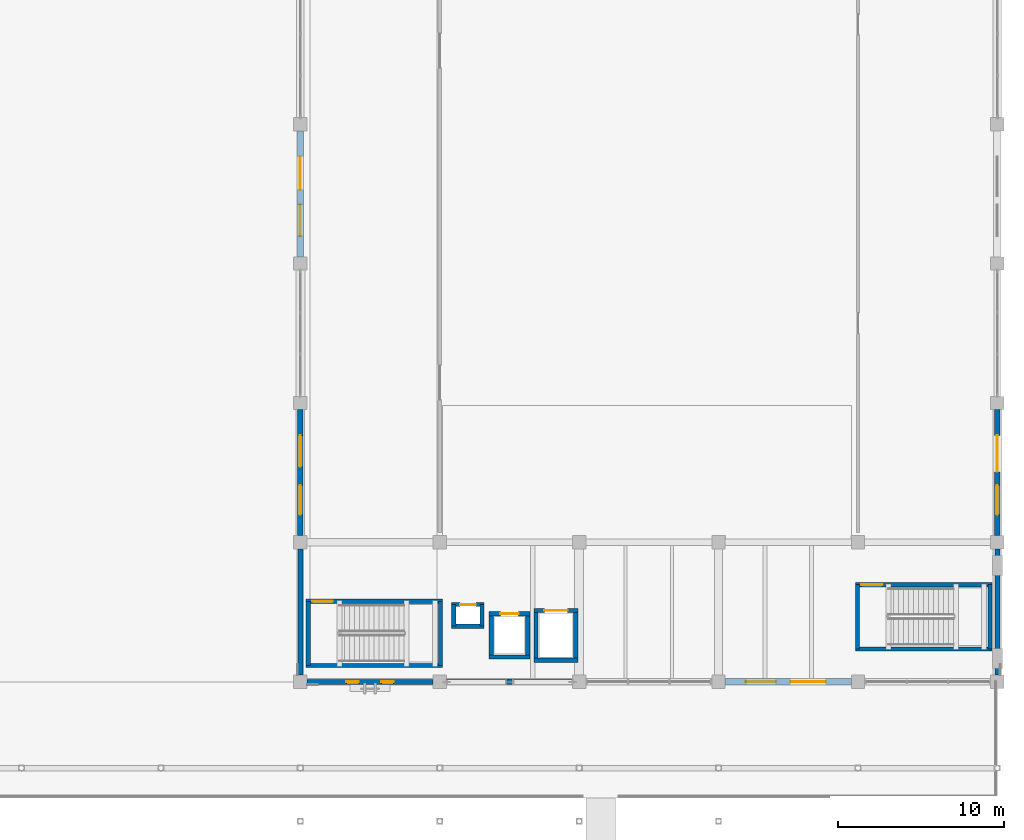
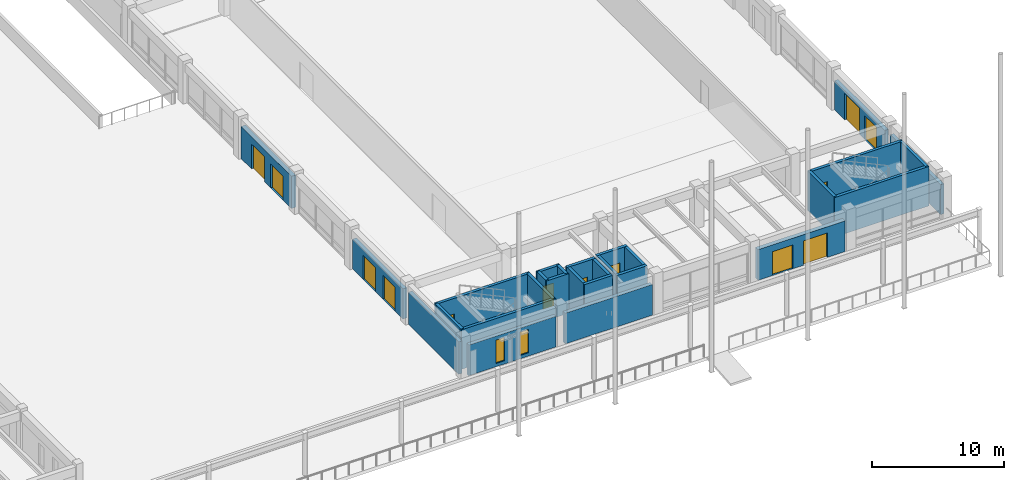
# One storey, part 96 of 135: 28 walls, 13 doors, 2 windows, 15 openings.
"""IFC4 building model written with IfcOpenShell, lengths in metres."""

from ifc_helpers import new_model, si_unit, direction, frame, frame_2d, origin, place, context, subcontext, project, spatial, rectangle, extrude, material, layer, layer_set, type_object, element, fill, save


model = new_model("IFC4")

# Units and contexts
model_context = context("Model", 3, precision=1e-05, world=origin(), true_north=direction((0.0, 1.0)))
body_context = subcontext(model_context, "Body", "Model", "MODEL_VIEW")
ifc_project = project(units=[si_unit("LENGTHUNIT", "METRE"), si_unit("AREAUNIT", "SQUARE_METRE"), si_unit("VOLUMEUNIT", "CUBIC_METRE"), si_unit("PLANEANGLEUNIT", "RADIAN"), si_unit("MASSUNIT", "GRAM", prefix="KILO")], contexts=[model_context])

# Site, building, storey
site_placement = place(None, origin())
site = spatial("IfcSite", under=ifc_project, at=site_placement, CompositionType="ELEMENT")
building_placement = place(site_placement, origin())
building = spatial("IfcBuilding", under=site, at=building_placement, Name="Cumbredor Promenade Congress Hotel", CompositionType="ELEMENT")
storey_placement = place(building_placement, origin())
storey = spatial("IfcBuildingStorey", under=building, at=storey_placement, Name="L00", CompositionType="ELEMENT", Elevation=0.0)

# Wall, openings, windows
ifc_material_1 = material(Name="Concrete C40/50", Category="concrete")
ifc_layer_1 = layer(ifc_material_1, 0.300048828125, Name="Concrete C40/50", Category="concrete")
ifc_layer_set_1 = layer_set([ifc_layer_1], Name="Concrete C40/50")
wall_type_1 = type_object("IfcWallType", Name="WL-EXT-300", PredefinedType="SOLIDWALL", material=ifc_layer_set_1)
wall_1_placement = place(storey_placement, frame((143.200927734375, 8.39990234375, 0.0), z_axis=(0.0, 0.0, 1.0), x_axis=(1.0, 0.0, 0.0)))
wall_1 = element("IfcWall", 1, at=wall_1_placement, inside=storey, type_object=wall_type_1, Name="L00 Grand Ballroom Pavilion South Envelope Wall 1", PredefinedType="SOLIDWALL", context=body_context, shape_type="SweptSolid", body=[
    extrude(rectangle(XDim=7.59814453125, YDim=0.300048828125, at=frame_2d((3.799072265625, 0.0))), origin(), (0.0, 0.0, 1.0), 2.824951171875),
])
opening_1_placement = place(wall_1_placement, frame((2.3740234375, 0.0, 0.300048828125)))
opening_1 = element("IfcOpeningElement", 2, at=opening_1_placement, cuts=wall_1, Name="Opening WN-57", PredefinedType="OPENING", context=body_context, shape_type="SweptSolid", body=[
    extrude(rectangle(XDim=0.75, YDim=2.14990234375, at=frame_2d((0.375, 1.074951171875))), frame((0.0, 0.16015625, 0.0), z_axis=(0.0, -1.0, 0.0), x_axis=(1.0, 0.0, 0.0)), (0.0, 0.0, 1.0), 0.320068359375),
])
opening_2_placement = place(wall_1_placement, frame((4.47412109375, 0.0, 0.300048828125)))
opening_2 = element("IfcOpeningElement", 3, at=opening_2_placement, cuts=wall_1, Name="Opening WN-57", PredefinedType="OPENING", context=body_context, shape_type="SweptSolid", body=[
    extrude(rectangle(XDim=0.75, YDim=2.14990234375, at=frame_2d((0.375, 1.074951171875))), frame((0.0, 0.16015625, 0.0), z_axis=(0.0, -1.0, 0.0), x_axis=(1.0, 0.0, 0.0)), (0.0, 0.0, 1.0), 0.320068359375),
])
ifc_material_2 = material(Name="Thermally broken anodized aluminium and low-E glass", Category="aluminium")
window_type = type_object("IfcWindowType", Name="Vertical Slot Window WN-57 750x2150", PartitioningType="SINGLE_PANEL", PredefinedType="WINDOW", material=ifc_material_2)
window_1_placement = place(opening_1_placement, origin())
window_1 = element("IfcWindow", 4, at=window_1_placement, inside=storey, type_object=window_type, Name="L00 Vertical Slot Window 0013", OverallHeight=2.14990234375, OverallWidth=0.75, PartitioningType="SINGLE_PANEL", PredefinedType="WINDOW", context=body_context, shape_type="SweptSolid", body=[
    extrude(rectangle(XDim=0.75, YDim=2.14990234375, at=frame_2d((0.375, 1.074951171875))), frame((0.0, 0.030029296875, 0.0), z_axis=(0.0, -1.0, 0.0), x_axis=(1.0, 0.0, 0.0)), (0.0, 0.0, 1.0), 0.06005859375),
])
fill(opening_1, window_1)
window_2_placement = place(opening_2_placement, origin())
window_2 = element("IfcWindow", 5, at=window_2_placement, inside=storey, type_object=window_type, Name="L00 Vertical Slot Window 0014", OverallHeight=2.14990234375, OverallWidth=0.75, PartitioningType="SINGLE_PANEL", PredefinedType="WINDOW", context=body_context, shape_type="SweptSolid", body=[
    extrude(rectangle(XDim=0.75, YDim=2.14990234375, at=frame_2d((0.375, 1.074951171875))), frame((0.0, 0.030029296875, 0.0), z_axis=(0.0, -1.0, 0.0), x_axis=(1.0, 0.0, 0.0)), (0.0, 0.0, 1.0), 0.06005859375),
])
fill(opening_2, window_2)

# Walls
wall_2_placement = place(storey_placement, frame((142.800048828125, 8.801025390625, 0.0), z_axis=(0.0, 0.0, 1.0), x_axis=(0.0, 1.0, 0.0)))
element("IfcWall", 6, at=wall_2_placement, inside=storey, type_object=wall_type_1, Name="L00 Grand Ballroom Pavilion West Envelope Wall 1", PredefinedType="SOLIDWALL", context=body_context, shape_type="SweptSolid", body=[
    extrude(rectangle(XDim=7.597900390625, YDim=0.300048828125, at=frame_2d((3.798828125, 0.0))), origin(), (0.0, 0.0, 1.0), 2.97509765625),
])
wall_3_placement = place(storey_placement, frame((184.800048828125, 8.801025390625, 0.0), z_axis=(0.0, 0.0, 1.0), x_axis=(0.0, 1.0, 0.0)))
element("IfcWall", 7, at=wall_3_placement, inside=storey, type_object=wall_type_1, Name="L00 Grand Ballroom Pavilion East Envelope Wall 1", PredefinedType="SOLIDWALL", context=body_context, shape_type="SweptSolid", body=[
    extrude(rectangle(XDim=7.597900390625, YDim=0.300048828125, at=frame_2d((3.798828125, 0.0))), origin(), (0.0, 0.0, 1.0), 2.77490234375),
])
ifc_layer_2 = layer(ifc_material_1, 0.324951171875, Name="Concrete C40/50", Category="concrete")
ifc_layer_set_2 = layer_set([ifc_layer_2], Name="Concrete C40/50")
wall_type_2 = type_object("IfcWallType", Name="WL-EXT-325", PredefinedType="SOLIDWALL", material=ifc_layer_set_2)
wall_4_placement = place(storey_placement, frame((151.60107421875, 8.39990234375, 0.0), z_axis=(0.0, 0.0, 1.0), x_axis=(1.0, 0.0, 0.0)))
element("IfcWall", 8, at=wall_4_placement, inside=storey, type_object=wall_type_2, Name="L00 Grand Ballroom Pavilion South Envelope Wall 2", PredefinedType="SOLIDWALL", context=body_context, shape_type="SweptSolid", body=[
    extrude(rectangle(XDim=7.597900390625, YDim=0.324951171875, at=frame_2d((3.798828125, 0.0))), origin(), (0.0, 0.0, 1.0), 2.824951171875),
])

# Wall, openings, doors
wall_5_placement = place(storey_placement, frame((142.800048828125, 17.200927734375, 0.0), z_axis=(0.0, 0.0, 1.0), x_axis=(0.0, 1.0, 0.0)))
wall_5 = element("IfcWall", 9, at=wall_5_placement, inside=storey, type_object=wall_type_2, Name="L00 Grand Ballroom Pavilion West Envelope Wall 2", PredefinedType="SOLIDWALL", context=body_context, shape_type="SweptSolid", body=[
    extrude(rectangle(XDim=7.59814453125, YDim=0.324951171875, at=frame_2d((3.799072265625, 0.0))), origin(), (0.0, 0.0, 1.0), 2.77490234375),
])
opening_3_placement = place(wall_5_placement, frame((1.2490234375, 0.0, 0.0)))
opening_3 = element("IfcOpeningElement", 10, at=opening_3_placement, cuts=wall_5, Name="Opening EX-01", PredefinedType="OPENING", context=body_context, shape_type="SweptSolid", body=[
    extrude(rectangle(XDim=1.800048828125, YDim=2.199951171875, at=frame_2d((0.89990234375, 1.10009765625))), frame((0.0, 0.17236328125, 0.0), z_axis=(0.0, -1.0, 0.0), x_axis=(1.0, 0.0, 0.0)), (0.0, 0.0, 1.0), 0.344970703125),
])
opening_4_placement = place(wall_5_placement, frame((4.14794921875, 0.0, 0.0)))
opening_4 = element("IfcOpeningElement", 11, at=opening_4_placement, cuts=wall_5, Name="Opening EX-02", PredefinedType="OPENING", context=body_context, shape_type="SweptSolid", body=[
    extrude(rectangle(XDim=1.89990234375, YDim=2.199951171875, at=frame_2d((0.949951171875, 1.10009765625))), frame((0.0, 0.17236328125, 0.0), z_axis=(0.0, -1.0, 0.0), x_axis=(1.0, 0.0, 0.0)), (0.0, 0.0, 1.0), 0.344970703125),
])
ifc_material_3 = material(Name="Thermally broken anodized aluminium and laminated safety glass", Category="aluminium")
door_type_1 = type_object("IfcDoorType", Name="EXT-DR-EXIT-1800x2200", OperationType="DOUBLE_DOOR_SINGLE_SWING", PredefinedType="DOOR", material=ifc_material_3)
door_1_placement = place(opening_3_placement, origin())
door_1 = element("IfcDoor", 12, at=door_1_placement, inside=storey, type_object=door_type_1, Name="L00 Grand Ballroom Pavilion West Final Exit Door 10.1", OperationType="DOUBLE_DOOR_SINGLE_SWING", OverallHeight=2.199951171875, OverallWidth=1.800048828125, PredefinedType="DOOR", context=body_context, shape_type="SweptSolid", body=[
    extrude(rectangle(XDim=1.800048828125, YDim=2.199951171875, at=frame_2d((0.89990234375, 1.10009765625))), frame((0.0, 0.02490234375, 0.0), z_axis=(0.0, -1.0, 0.0), x_axis=(1.0, 0.0, 0.0)), (0.0, 0.0, 1.0), 0.050048828125),
])
fill(opening_3, door_1)
door_type_2 = type_object("IfcDoorType", Name="EXT-DR-EXIT-1900x2200", OperationType="DOUBLE_DOOR_SINGLE_SWING", PredefinedType="DOOR", material=ifc_material_3)
door_2_placement = place(opening_4_placement, origin())
door_2 = element("IfcDoor", 13, at=door_2_placement, inside=storey, type_object=door_type_2, Name="L00 Grand Ballroom Pavilion West Final Exit Door 10.2", OperationType="DOUBLE_DOOR_SINGLE_SWING", OverallHeight=2.199951171875, OverallWidth=1.89990234375, PredefinedType="DOOR", context=body_context, shape_type="SweptSolid", body=[
    extrude(rectangle(XDim=1.89990234375, YDim=2.199951171875, at=frame_2d((0.949951171875, 1.10009765625))), frame((0.0, 0.02490234375, 0.0), z_axis=(0.0, -1.0, 0.0), x_axis=(1.0, 0.0, 0.0)), (0.0, 0.0, 1.0), 0.050048828125),
])
fill(opening_4, door_2)

wall_6_placement = place(storey_placement, frame((184.800048828125, 17.200927734375, 0.0), z_axis=(0.0, 0.0, 1.0), x_axis=(0.0, 1.0, 0.0)))
wall_6 = element("IfcWall", 14, at=wall_6_placement, inside=storey, type_object=wall_type_2, Name="L00 Grand Ballroom Pavilion East Envelope Wall 2", PredefinedType="SOLIDWALL", context=body_context, shape_type="SweptSolid", body=[
    extrude(rectangle(XDim=7.59814453125, YDim=0.324951171875, at=frame_2d((3.799072265625, 0.0))), origin(), (0.0, 0.0, 1.0), 2.675048828125),
])
opening_5_placement = place(wall_6_placement, frame((1.2490234375, 0.0, 0.0)))
opening_5 = element("IfcOpeningElement", 15, at=opening_5_placement, cuts=wall_6, Name="Opening EX-01", PredefinedType="OPENING", context=body_context, shape_type="SweptSolid", body=[
    extrude(rectangle(XDim=1.800048828125, YDim=2.199951171875, at=frame_2d((0.89990234375, 1.10009765625))), frame((0.0, 0.17236328125, 0.0), z_axis=(0.0, -1.0, 0.0), x_axis=(1.0, 0.0, 0.0)), (0.0, 0.0, 1.0), 0.344970703125),
])
opening_6_placement = place(wall_6_placement, frame((3.847900390625, 0.0, 0.0)))
opening_6 = element("IfcOpeningElement", 16, at=opening_6_placement, cuts=wall_6, Name="Opening EX-04", PredefinedType="OPENING", context=body_context, shape_type="SweptSolid", body=[
    extrude(rectangle(XDim=2.199951171875, YDim=2.39990234375, at=frame_2d((1.10009765625, 1.199951171875))), frame((0.0, 0.17236328125, 0.0), z_axis=(0.0, -1.0, 0.0), x_axis=(1.0, 0.0, 0.0)), (0.0, 0.0, 1.0), 0.344970703125),
])
door_3_placement = place(opening_5_placement, frame((1.800048828125, 0.0, 0.0), z_axis=(0.0, 0.0, 1.0), x_axis=(-1.0, 0.0, 0.0)))
door_3 = element("IfcDoor", 17, at=door_3_placement, inside=storey, type_object=door_type_1, Name="L00 Grand Ballroom Pavilion East Final Exit Door 12.1", OperationType="DOUBLE_DOOR_SINGLE_SWING", OverallHeight=2.199951171875, OverallWidth=1.800048828125, PredefinedType="DOOR", context=body_context, shape_type="SweptSolid", body=[
    extrude(rectangle(XDim=1.800048828125, YDim=2.199951171875, at=frame_2d((0.89990234375, 1.10009765625))), frame((0.0, 0.02490234375, 0.0), z_axis=(0.0, -1.0, 0.0), x_axis=(1.0, 0.0, 0.0)), (0.0, 0.0, 1.0), 0.050048828125),
])
fill(opening_5, door_3)
door_type_3 = type_object("IfcDoorType", Name="EXT-DR-EXIT-2200x2400", OperationType="DOUBLE_DOOR_SINGLE_SWING", PredefinedType="DOOR", material=ifc_material_3)
door_4_placement = place(opening_6_placement, frame((2.199951171875, 0.0, 0.0), z_axis=(0.0, 0.0, 1.0), x_axis=(-1.0, 0.0, 0.0)))
door_4 = element("IfcDoor", 18, at=door_4_placement, inside=storey, type_object=door_type_3, Name="L00 Grand Ballroom Pavilion East Final Exit Door 12.2", OperationType="DOUBLE_DOOR_SINGLE_SWING", OverallHeight=2.39990234375, OverallWidth=2.199951171875, PredefinedType="DOOR", context=body_context, shape_type="SweptSolid", body=[
    extrude(rectangle(XDim=2.199951171875, YDim=2.39990234375, at=frame_2d((1.10009765625, 1.199951171875))), frame((0.0, 0.02490234375, 0.0), z_axis=(0.0, -1.0, 0.0), x_axis=(1.0, 0.0, 0.0)), (0.0, 0.0, 1.0), 0.050048828125),
])
fill(opening_6, door_4)

ifc_layer_3 = layer(ifc_material_1, 0.3798828125, Name="Concrete C40/50", Category="concrete")
ifc_layer_set_3 = layer_set([ifc_layer_3], Name="Concrete C40/50")
wall_type_3 = type_object("IfcWallType", Name="WL-EXT-380", PredefinedType="SOLIDWALL", material=ifc_layer_set_3)
wall_7_placement = place(storey_placement, frame((168.40087890625, 8.39990234375, 0.0), z_axis=(0.0, 0.0, 1.0), x_axis=(1.0, 0.0, 0.0)))
wall_7 = element("IfcWall", 19, at=wall_7_placement, inside=storey, type_object=wall_type_3, Name="L00 Grand Ballroom Pavilion South Envelope Wall 4", PredefinedType="SOLIDWALL", context=body_context, shape_type="SweptSolid", body=[
    extrude(rectangle(XDim=7.59814453125, YDim=0.3798828125, at=frame_2d((3.799072265625, 0.0))), origin(), (0.0, 0.0, 1.0), 2.824951171875),
])
opening_7_placement = place(wall_7_placement, frame((1.2490234375, 0.0, 0.0)))
opening_7 = element("IfcOpeningElement", 20, at=opening_7_placement, cuts=wall_7, Name="Opening EX-01", PredefinedType="OPENING", context=body_context, shape_type="SweptSolid", body=[
    extrude(rectangle(XDim=1.800048828125, YDim=2.199951171875, at=frame_2d((0.89990234375, 1.10009765625))), frame((0.0, 0.199951171875, 0.0), z_axis=(0.0, -1.0, 0.0), x_axis=(1.0, 0.0, 0.0)), (0.0, 0.0, 1.0), 0.39990234375),
])
opening_8_placement = place(wall_7_placement, frame((3.947998046875, 0.0, 0.0)))
opening_8 = element("IfcOpeningElement", 21, at=opening_8_placement, cuts=wall_7, Name="Opening EX-11", PredefinedType="OPENING", context=body_context, shape_type="SweptSolid", body=[
    extrude(rectangle(XDim=2.10009765625, YDim=2.25, at=frame_2d((1.050048828125, 1.125))), frame((0.0, 0.199951171875, 0.0), z_axis=(0.0, -1.0, 0.0), x_axis=(1.0, 0.0, 0.0)), (0.0, 0.0, 1.0), 0.39990234375),
])
door_5_placement = place(opening_7_placement, frame((1.800048828125, 0.0, 0.0), z_axis=(0.0, 0.0, 1.0), x_axis=(-1.0, 0.0, 0.0)))
door_5 = element("IfcDoor", 22, at=door_5_placement, inside=storey, type_object=door_type_1, Name="L00 Grand Ballroom Pavilion South Final Exit Door 08.1", OperationType="DOUBLE_DOOR_SINGLE_SWING", OverallHeight=2.199951171875, OverallWidth=1.800048828125, PredefinedType="DOOR", context=body_context, shape_type="SweptSolid", body=[
    extrude(rectangle(XDim=1.800048828125, YDim=2.199951171875, at=frame_2d((0.89990234375, 1.10009765625))), frame((0.0, 0.02490234375, 0.0), z_axis=(0.0, -1.0, 0.0), x_axis=(1.0, 0.0, 0.0)), (0.0, 0.0, 1.0), 0.050048828125),
])
fill(opening_7, door_5)
door_type_4 = type_object("IfcDoorType", Name="EXT-DR-EXIT-2100x2250", OperationType="DOUBLE_DOOR_SINGLE_SWING", PredefinedType="DOOR", material=ifc_material_3)
door_6_placement = place(opening_8_placement, frame((2.10009765625, 0.0, 0.0), z_axis=(0.0, 0.0, 1.0), x_axis=(-1.0, 0.0, 0.0)))
door_6 = element("IfcDoor", 23, at=door_6_placement, inside=storey, type_object=door_type_4, Name="L00 Grand Ballroom Pavilion South Final Exit Door 08.2", OperationType="DOUBLE_DOOR_SINGLE_SWING", OverallHeight=2.25, OverallWidth=2.10009765625, PredefinedType="DOOR", context=body_context, shape_type="SweptSolid", body=[
    extrude(rectangle(XDim=2.10009765625, YDim=2.25, at=frame_2d((1.050048828125, 1.125))), frame((0.0, 0.02490234375, 0.0), z_axis=(0.0, -1.0, 0.0), x_axis=(1.0, 0.0, 0.0)), (0.0, 0.0, 1.0), 0.050048828125),
])
fill(opening_8, door_6)

wall_8_placement = place(storey_placement, frame((142.800048828125, 34.0009765625, 0.0), z_axis=(0.0, 0.0, 1.0), x_axis=(0.0, 1.0, 0.0)))
wall_8 = element("IfcWall", 24, at=wall_8_placement, inside=storey, type_object=wall_type_3, Name="L00 Grand Ballroom Pavilion West Envelope Wall 4", PredefinedType="SOLIDWALL", context=body_context, shape_type="SweptSolid", body=[
    extrude(rectangle(XDim=7.59814453125, YDim=0.3798828125, at=frame_2d((3.799072265625, 0.0))), origin(), (0.0, 0.0, 1.0), 2.97509765625),
])
opening_9_placement = place(wall_8_placement, frame((1.2490234375, 0.0, 0.0)))
opening_9 = element("IfcOpeningElement", 25, at=opening_9_placement, cuts=wall_8, Name="Opening EX-02", PredefinedType="OPENING", context=body_context, shape_type="SweptSolid", body=[
    extrude(rectangle(XDim=1.89990234375, YDim=2.199951171875, at=frame_2d((0.949951171875, 1.10009765625))), frame((0.0, 0.199951171875, 0.0), z_axis=(0.0, -1.0, 0.0), x_axis=(1.0, 0.0, 0.0)), (0.0, 0.0, 1.0), 0.39990234375),
])
opening_10_placement = place(wall_8_placement, frame((4.048095703125, 0.0, 0.0)))
opening_10 = element("IfcOpeningElement", 26, at=opening_10_placement, cuts=wall_8, Name="Opening EX-03", PredefinedType="OPENING", context=body_context, shape_type="SweptSolid", body=[
    extrude(rectangle(XDim=2.0, YDim=2.300048828125, at=frame_2d((1.0, 1.14990234375))), frame((0.0, 0.199951171875, 0.0), z_axis=(0.0, -1.0, 0.0), x_axis=(1.0, 0.0, 0.0)), (0.0, 0.0, 1.0), 0.39990234375),
])
door_7_placement = place(opening_9_placement, origin())
door_7 = element("IfcDoor", 27, at=door_7_placement, inside=storey, type_object=door_type_2, Name="L00 Grand Ballroom Pavilion West Final Exit Door 11.1", OperationType="DOUBLE_DOOR_SINGLE_SWING", OverallHeight=2.199951171875, OverallWidth=1.89990234375, PredefinedType="DOOR", context=body_context, shape_type="SweptSolid", body=[
    extrude(rectangle(XDim=1.89990234375, YDim=2.199951171875, at=frame_2d((0.949951171875, 1.10009765625))), frame((0.0, 0.02490234375, 0.0), z_axis=(0.0, -1.0, 0.0), x_axis=(1.0, 0.0, 0.0)), (0.0, 0.0, 1.0), 0.050048828125),
])
fill(opening_9, door_7)
door_type_5 = type_object("IfcDoorType", Name="EXT-DR-EXIT-2000x2300", OperationType="DOUBLE_DOOR_SINGLE_SWING", PredefinedType="DOOR", material=ifc_material_3)
door_8_placement = place(opening_10_placement, origin())
door_8 = element("IfcDoor", 28, at=door_8_placement, inside=storey, type_object=door_type_5, Name="L00 Grand Ballroom Pavilion West Final Exit Door 11.2", OperationType="DOUBLE_DOOR_SINGLE_SWING", OverallHeight=2.300048828125, OverallWidth=2.0, PredefinedType="DOOR", context=body_context, shape_type="SweptSolid", body=[
    extrude(rectangle(XDim=2.0, YDim=2.300048828125, at=frame_2d((1.0, 1.14990234375))), frame((0.0, 0.02490234375, 0.0), z_axis=(0.0, -1.0, 0.0), x_axis=(1.0, 0.0, 0.0)), (0.0, 0.0, 1.0), 0.050048828125),
])
fill(opening_10, door_8)

# Wall
ifc_layer_4 = layer(ifc_material_1, 0.2548828125, Name="Concrete C40/50", Category="concrete")
ifc_layer_set_4 = layer_set([ifc_layer_4], Name="Concrete C40/50")
wall_type_4 = type_object("IfcWallType", Name="WL-SHAFT-250", PredefinedType="SOLIDWALL", material=ifc_layer_set_4)
wall_9_placement = place(storey_placement, frame((143.152587890625, 9.3798828125, 0.0), z_axis=(0.0, 0.0, 1.0), x_axis=(1.0, 0.0, 0.0)))
element("IfcWall", 29, at=wall_9_placement, inside=storey, type_object=wall_type_4, Name="STAIR-ST-08-L00 Shaft Wall South", PredefinedType="SOLIDWALL", context=body_context, shape_type="SweptSolid", body=[
    extrude(rectangle(XDim=8.224853515625, YDim=0.2548828125, at=frame_2d((4.1123046875, 0.0))), origin(), (0.0, 0.0, 1.0), 3.639892578125),
])

# Wall, opening, door
wall_10_placement = place(storey_placement, frame((143.152587890625, 13.25, 0.0), z_axis=(0.0, 0.0, 1.0), x_axis=(1.0, 0.0, 0.0)))
wall_10 = element("IfcWall", 30, at=wall_10_placement, inside=storey, type_object=wall_type_4, Name="STAIR-ST-08-L00 Shaft Wall North", PredefinedType="SOLIDWALL", context=body_context, shape_type="SweptSolid", body=[
    extrude(rectangle(XDim=8.224853515625, YDim=0.2548828125, at=frame_2d((4.1123046875, 0.0))), origin(), (0.0, 0.0, 1.0), 3.639892578125),
])
opening_11_placement = place(wall_10_placement, frame((0.35009765625, 0.0, 0.0)))
opening_11 = element("IfcOpeningElement", 31, at=opening_11_placement, cuts=wall_10, Name="Opening SD-02", PredefinedType="OPENING", context=body_context, shape_type="SweptSolid", body=[
    extrude(rectangle(XDim=1.25, YDim=2.199951171875, at=frame_2d((0.625, 1.10009765625))), frame((0.0, 0.137451171875, 0.0), z_axis=(0.0, -1.0, 0.0), x_axis=(1.0, 0.0, 0.0)), (0.0, 0.0, 1.0), 0.27490234375),
])
ifc_material_4 = material(Name="Painted galvanized steel fire door", Category="steel")
door_type_6 = type_object("IfcDoorType", Name="DR-STAIR-FD90-1250", OperationType="NOTDEFINED", PredefinedType="DOOR", material=ifc_material_4)
door_9_placement = place(opening_11_placement, origin())
door_9 = element("IfcDoor", 32, at=door_9_placement, inside=storey, type_object=door_type_6, Name="L00 Protected Exit Stair ST-08 Door", OperationType="SINGLE_SWING_LEFT", OverallHeight=2.199951171875, OverallWidth=1.25, PredefinedType="DOOR", context=body_context, shape_type="SweptSolid", body=[
    extrude(rectangle(XDim=1.25, YDim=2.199951171875, at=frame_2d((0.625, 1.10009765625))), frame((0.0, 0.02490234375, 0.0), z_axis=(0.0, -1.0, 0.0), x_axis=(1.0, 0.0, 0.0)), (0.0, 0.0, 1.0), 0.050048828125),
])
fill(opening_11, door_9)

# Walls
for number, where, z_axis, x_axis, name in (
    (33, (143.280029296875, 9.3798828125, 0.0), (0.0, 0.0, 1.0), (0.0, 1.0, 0.0), "STAIR-ST-08-L00 Shaft Wall West"),
    (34, (151.25, 9.3798828125, 0.0), (0.0, 0.0, 1.0), (0.0, 1.0, 0.0), "STAIR-ST-08-L00 Shaft Wall East"),
):
    element("IfcWall", number, at=place(storey_placement, frame(where, z_axis=z_axis, x_axis=x_axis)), inside=storey, type_object=wall_type_4, Name=name, PredefinedType="SOLIDWALL", context=body_context, shape_type="SweptSolid", body=[
        extrude(rectangle(XDim=3.8701171875, YDim=0.2548828125, at=frame_2d((1.93505859375, 0.0))), origin(), (0.0, 0.0, 1.0), 3.639892578125),
    ])
wall_11_placement = place(storey_placement, frame((176.25244140625, 10.3798828125, 0.0), z_axis=(0.0, 0.0, 1.0), x_axis=(1.0, 0.0, 0.0)))
element("IfcWall", 35, at=wall_11_placement, inside=storey, type_object=wall_type_4, Name="STAIR-ST-09-L00 Shaft Wall South", PredefinedType="SOLIDWALL", context=body_context, shape_type="SweptSolid", body=[
    extrude(rectangle(XDim=8.22509765625, YDim=0.2548828125, at=frame_2d((4.112548828125, 0.0))), origin(), (0.0, 0.0, 1.0), 3.639892578125),
])

# Wall, opening, door
wall_12_placement = place(storey_placement, frame((176.25244140625, 14.25, 0.0), z_axis=(0.0, 0.0, 1.0), x_axis=(1.0, 0.0, 0.0)))
wall_12 = element("IfcWall", 36, at=wall_12_placement, inside=storey, type_object=wall_type_4, Name="STAIR-ST-09-L00 Shaft Wall North", PredefinedType="SOLIDWALL", context=body_context, shape_type="SweptSolid", body=[
    extrude(rectangle(XDim=8.22509765625, YDim=0.2548828125, at=frame_2d((4.112548828125, 0.0))), origin(), (0.0, 0.0, 1.0), 3.639892578125),
])
opening_12_placement = place(wall_12_placement, frame((0.35009765625, 0.0, 0.0)))
opening_12 = element("IfcOpeningElement", 37, at=opening_12_placement, cuts=wall_12, Name="Opening SD-02", PredefinedType="OPENING", context=body_context, shape_type="SweptSolid", body=[
    extrude(rectangle(XDim=1.25, YDim=2.199951171875, at=frame_2d((0.625, 1.10009765625))), frame((0.0, 0.137451171875, 0.0), z_axis=(0.0, -1.0, 0.0), x_axis=(1.0, 0.0, 0.0)), (0.0, 0.0, 1.0), 0.27490234375),
])
door_10_placement = place(opening_12_placement, origin())
door_10 = element("IfcDoor", 38, at=door_10_placement, inside=storey, type_object=door_type_6, Name="L00 Protected Exit Stair ST-09 Door", OperationType="SINGLE_SWING_RIGHT", OverallHeight=2.199951171875, OverallWidth=1.25, PredefinedType="DOOR", context=body_context, shape_type="SweptSolid", body=[
    extrude(rectangle(XDim=1.25, YDim=2.199951171875, at=frame_2d((0.625, 1.10009765625))), frame((0.0, 0.02490234375, 0.0), z_axis=(0.0, -1.0, 0.0), x_axis=(1.0, 0.0, 0.0)), (0.0, 0.0, 1.0), 0.050048828125),
])
fill(opening_12, door_10)

# Walls
for number, where, z_axis, x_axis, name in (
    (39, (176.3798828125, 10.3798828125, 0.0), (0.0, 0.0, 1.0), (0.0, 1.0, 0.0), "STAIR-ST-09-L00 Shaft Wall West"),
    (40, (184.35009765625, 10.3798828125, 0.0), (0.0, 0.0, 1.0), (0.0, 1.0, 0.0), "STAIR-ST-09-L00 Shaft Wall East"),
):
    element("IfcWall", number, at=place(storey_placement, frame(where, z_axis=z_axis, x_axis=x_axis)), inside=storey, type_object=wall_type_4, Name=name, PredefinedType="SOLIDWALL", context=body_context, shape_type="SweptSolid", body=[
        extrude(rectangle(XDim=3.8701171875, YDim=0.2548828125, at=frame_2d((1.93505859375, 0.0))), origin(), (0.0, 0.0, 1.0), 3.639892578125),
    ])
wall_13_placement = place(storey_placement, frame((154.172607421875, 9.89990234375, 0.0), z_axis=(0.0, 0.0, 1.0), x_axis=(1.0, 0.0, 0.0)))
element("IfcWall", 41, at=wall_13_placement, inside=storey, type_object=wall_type_4, Name="SHAFT-PL-07-L00 Shaft Wall South", PredefinedType="SOLIDWALL", context=body_context, shape_type="SweptSolid", body=[
    extrude(rectangle(XDim=2.454833984375, YDim=0.2548828125, at=frame_2d((1.2275390625, 0.0))), origin(), (0.0, 0.0, 1.0), 3.639892578125),
])

# Wall, opening, door
wall_14_placement = place(storey_placement, frame((154.172607421875, 12.5, 0.0), z_axis=(0.0, 0.0, 1.0), x_axis=(1.0, 0.0, 0.0)))
wall_14 = element("IfcWall", 42, at=wall_14_placement, inside=storey, type_object=wall_type_4, Name="SHAFT-PL-07-L00 Shaft Wall North", PredefinedType="SOLIDWALL", context=body_context, shape_type="SweptSolid", body=[
    extrude(rectangle(XDim=2.454833984375, YDim=0.2548828125, at=frame_2d((1.2275390625, 0.0))), origin(), (0.0, 0.0, 1.0), 3.639892578125),
])
opening_13_placement = place(wall_14_placement, frame((0.677490234375, 0.0, 0.0)))
opening_13 = element("IfcOpeningElement", 43, at=opening_13_placement, cuts=wall_14, Name="Opening LD-01", PredefinedType="OPENING", context=body_context, shape_type="SweptSolid", body=[
    extrude(rectangle(XDim=1.10009765625, YDim=2.14990234375, at=frame_2d((0.550048828125, 1.074951171875))), frame((0.0, 0.137451171875, 0.0), z_axis=(0.0, -1.0, 0.0), x_axis=(1.0, 0.0, 0.0)), (0.0, 0.0, 1.0), 0.27490234375),
])
ifc_material_5 = material(Name="Brushed stainless steel", Category="steel")
door_type_7 = type_object("IfcDoorType", Name="Lift Landing Sliding Door LD-01 1100x2150", OperationType="DOUBLE_DOOR_SLIDING", PredefinedType="DOOR", material=ifc_material_5)
door_11_placement = place(opening_13_placement, origin())
door_11 = element("IfcDoor", 44, at=door_11_placement, inside=storey, type_object=door_type_7, Name="L00 Ballroom Passenger Lift PL-07 Sliding Landing Door", OperationType="DOUBLE_DOOR_SLIDING", OverallHeight=2.14990234375, OverallWidth=1.10009765625, PredefinedType="DOOR", context=body_context, shape_type="SweptSolid", body=[
    extrude(rectangle(XDim=1.10009765625, YDim=2.14990234375, at=frame_2d((0.550048828125, 1.074951171875))), frame((0.0, 0.02490234375, 0.0), z_axis=(0.0, -1.0, 0.0), x_axis=(1.0, 0.0, 0.0)), (0.0, 0.0, 1.0), 0.050048828125),
])
fill(opening_13, door_11)

# Walls
for number, where, z_axis, x_axis, name in (
    (45, (154.300048828125, 9.89990234375, 0.0), (0.0, 0.0, 1.0), (0.0, 1.0, 0.0), "SHAFT-PL-07-L00 Shaft Wall West"),
    (46, (156.5, 9.89990234375, 0.0), (0.0, 0.0, 1.0), (0.0, 1.0, 0.0), "SHAFT-PL-07-L00 Shaft Wall East"),
):
    element("IfcWall", number, at=place(storey_placement, frame(where, z_axis=z_axis, x_axis=x_axis)), inside=storey, type_object=wall_type_4, Name=name, PredefinedType="SOLIDWALL", context=body_context, shape_type="SweptSolid", body=[
        extrude(rectangle(XDim=2.60009765625, YDim=0.2548828125, at=frame_2d((1.300048828125, 0.0))), origin(), (0.0, 0.0, 1.0), 3.639892578125),
    ])
wall_15_placement = place(storey_placement, frame((156.87255859375, 9.699951171875, 0.0), z_axis=(0.0, 0.0, 1.0), x_axis=(1.0, 0.0, 0.0)))
element("IfcWall", 47, at=wall_15_placement, inside=storey, type_object=wall_type_4, Name="SHAFT-SV-02-L00 Shaft Wall South", PredefinedType="SOLIDWALL", context=body_context, shape_type="SweptSolid", body=[
    extrude(rectangle(XDim=2.655029296875, YDim=0.2548828125, at=frame_2d((1.32763671875, 0.0))), origin(), (0.0, 0.0, 1.0), 3.639892578125),
])

# Wall, opening, door
wall_16_placement = place(storey_placement, frame((156.87255859375, 12.699951171875, 0.0), z_axis=(0.0, 0.0, 1.0), x_axis=(1.0, 0.0, 0.0)))
wall_16 = element("IfcWall", 48, at=wall_16_placement, inside=storey, type_object=wall_type_4, Name="SHAFT-SV-02-L00 Shaft Wall North", PredefinedType="SOLIDWALL", context=body_context, shape_type="SweptSolid", body=[
    extrude(rectangle(XDim=2.655029296875, YDim=0.2548828125, at=frame_2d((1.32763671875, 0.0))), origin(), (0.0, 0.0, 1.0), 3.639892578125),
])
opening_14_placement = place(wall_16_placement, frame((0.62744140625, 0.0, 0.0)))
opening_14 = element("IfcOpeningElement", 49, at=opening_14_placement, cuts=wall_16, Name="Opening LD-03", PredefinedType="OPENING", context=body_context, shape_type="SweptSolid", body=[
    extrude(rectangle(XDim=1.39990234375, YDim=2.300048828125, at=frame_2d((0.699951171875, 1.14990234375))), frame((0.0, 0.137451171875, 0.0), z_axis=(0.0, -1.0, 0.0), x_axis=(1.0, 0.0, 0.0)), (0.0, 0.0, 1.0), 0.27490234375),
])
door_type_8 = type_object("IfcDoorType", Name="Service Lift Sliding Door LD-03 1400x2300", OperationType="DOUBLE_DOOR_SLIDING", PredefinedType="DOOR", material=ifc_material_5)
door_12_placement = place(opening_14_placement, origin())
door_12 = element("IfcDoor", 50, at=door_12_placement, inside=storey, type_object=door_type_8, Name="L00 Ballroom Service Lift SV-02 Sliding Landing Door", OperationType="DOUBLE_DOOR_SLIDING", OverallHeight=2.300048828125, OverallWidth=1.39990234375, PredefinedType="DOOR", context=body_context, shape_type="SweptSolid", body=[
    extrude(rectangle(XDim=1.39990234375, YDim=2.300048828125, at=frame_2d((0.699951171875, 1.14990234375))), frame((0.0, 0.02490234375, 0.0), z_axis=(0.0, -1.0, 0.0), x_axis=(1.0, 0.0, 0.0)), (0.0, 0.0, 1.0), 0.050048828125),
])
fill(opening_14, door_12)

# Walls
for number, where, z_axis, x_axis, name in (
    (51, (157.0, 9.699951171875, 0.0), (0.0, 0.0, 1.0), (0.0, 1.0, 0.0), "SHAFT-SV-02-L00 Shaft Wall West"),
    (52, (159.39990234375, 9.699951171875, 0.0), (0.0, 0.0, 1.0), (0.0, 1.0, 0.0), "SHAFT-SV-02-L00 Shaft Wall East"),
):
    element("IfcWall", number, at=place(storey_placement, frame(where, z_axis=z_axis, x_axis=x_axis)), inside=storey, type_object=wall_type_4, Name=name, PredefinedType="SOLIDWALL", context=body_context, shape_type="SweptSolid", body=[
        extrude(rectangle(XDim=3.0, YDim=0.2548828125, at=frame_2d((1.5, 0.0))), origin(), (0.0, 0.0, 1.0), 3.639892578125),
    ])
wall_17_placement = place(storey_placement, frame((151.922607421875, 11.75, 0.0), z_axis=(0.0, 0.0, 1.0), x_axis=(1.0, 0.0, 0.0)))
element("IfcWall", 53, at=wall_17_placement, inside=storey, type_object=wall_type_4, Name="RISER-MEP-R3-L00 Shaft Wall South", PredefinedType="SOLIDWALL", context=body_context, shape_type="SweptSolid", body=[
    extrude(rectangle(XDim=1.954833984375, YDim=0.2548828125, at=frame_2d((0.9775390625, 0.0))), origin(), (0.0, 0.0, 1.0), 3.639892578125),
])

# Wall, opening, door
wall_18_placement = place(storey_placement, frame((151.922607421875, 13.050048828125, 0.0), z_axis=(0.0, 0.0, 1.0), x_axis=(1.0, 0.0, 0.0)))
wall_18 = element("IfcWall", 54, at=wall_18_placement, inside=storey, type_object=wall_type_4, Name="RISER-MEP-R3-L00 Shaft Wall North", PredefinedType="SOLIDWALL", context=body_context, shape_type="SweptSolid", body=[
    extrude(rectangle(XDim=1.954833984375, YDim=0.2548828125, at=frame_2d((0.9775390625, 0.0))), origin(), (0.0, 0.0, 1.0), 3.639892578125),
])
opening_15_placement = place(wall_18_placement, frame((0.507568359375, 0.0, 0.0)))
opening_15 = element("IfcOpeningElement", 55, at=opening_15_placement, cuts=wall_18, Name="Opening FD-03", PredefinedType="OPENING", context=body_context, shape_type="SweptSolid", body=[
    extrude(rectangle(XDim=0.93994140625, YDim=2.10009765625, at=frame_2d((0.469970703125, 1.050048828125))), frame((0.0, 0.137451171875, 0.0), z_axis=(0.0, -1.0, 0.0), x_axis=(1.0, 0.0, 0.0)), (0.0, 0.0, 1.0), 0.27490234375),
])
door_type_9 = type_object("IfcDoorType", Name="DR-SGL-FD60-950", OperationType="NOTDEFINED", PredefinedType="DOOR", material=ifc_material_4)
door_13_placement = place(opening_15_placement, origin())
door_13 = element("IfcDoor", 56, at=door_13_placement, inside=storey, type_object=door_type_9, Name="L00 Ballroom MEP Riser Shaft R3 Access Door", OperationType="SINGLE_SWING_LEFT", OverallHeight=2.10009765625, OverallWidth=0.93994140625, PredefinedType="DOOR", context=body_context, shape_type="SweptSolid", body=[
    extrude(rectangle(XDim=0.93994140625, YDim=2.10009765625, at=frame_2d((0.469970703125, 1.050048828125))), frame((0.0, 0.02490234375, 0.0), z_axis=(0.0, -1.0, 0.0), x_axis=(1.0, 0.0, 0.0)), (0.0, 0.0, 1.0), 0.050048828125),
])
fill(opening_15, door_13)

# Walls
for number, where, z_axis, x_axis, name in (
    (57, (152.050048828125, 11.75, 0.0), (0.0, 0.0, 1.0), (0.0, 1.0, 0.0), "RISER-MEP-R3-L00 Shaft Wall West"),
    (58, (153.75, 11.75, 0.0), (0.0, 0.0, 1.0), (0.0, 1.0, 0.0), "RISER-MEP-R3-L00 Shaft Wall East"),
):
    element("IfcWall", number, at=place(storey_placement, frame(where, z_axis=z_axis, x_axis=x_axis)), inside=storey, type_object=wall_type_4, Name=name, PredefinedType="SOLIDWALL", context=body_context, shape_type="SweptSolid", body=[
        extrude(rectangle(XDim=1.300048828125, YDim=0.2548828125, at=frame_2d((0.64990234375, 0.0))), origin(), (0.0, 0.0, 1.0), 3.639892578125),
    ])

save(model, "model.ifc")
